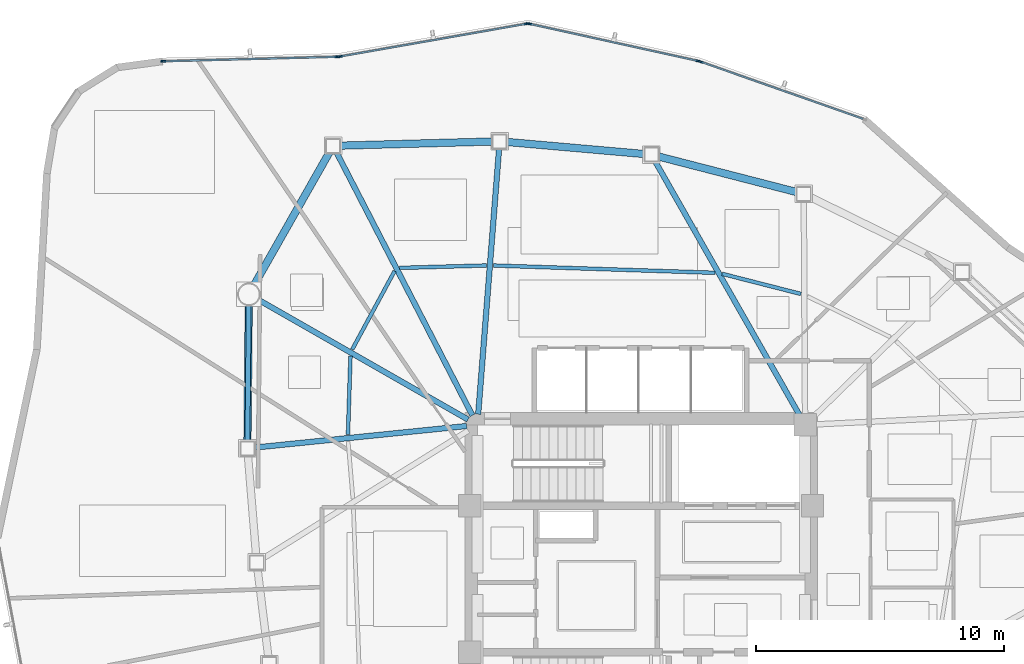
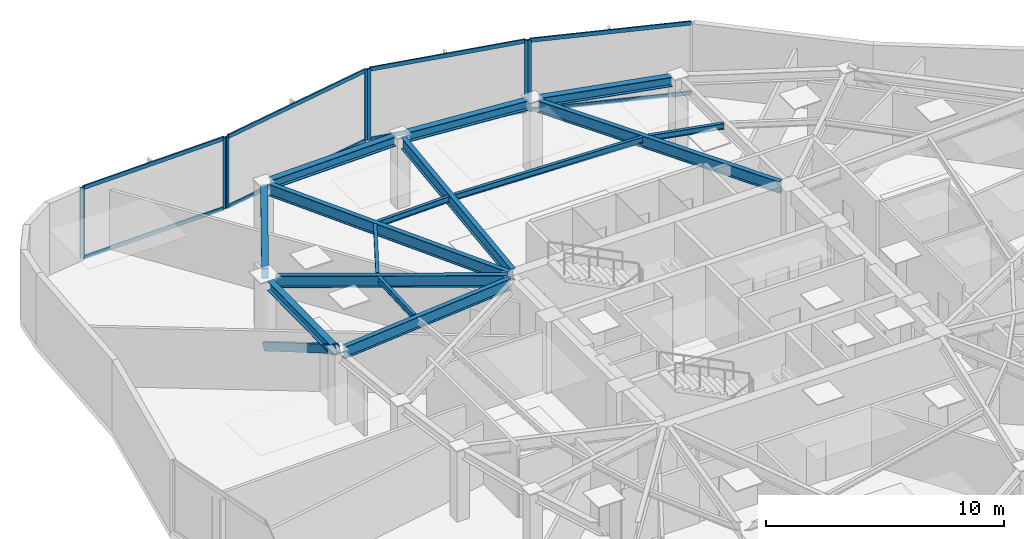
# One storey, part 5 of 13: 16 members, 15 beams, 4 elements without a shape of their own.
"""IFC4 building model written with IfcOpenShell, lengths in metres."""

from ifc_helpers import new_model, si_unit, direction, frame, origin, origin_2d, place, context, subcontext, project, spatial, hollow_rectangle, i_section, extrude, source, transform, mapped, material, layer, layer_set, material_profile, profile_set, type_object, type_shapes, element, aggregate, save


model = new_model("IFC4")

# Units and contexts
model_context = context("Model", 3, precision=1e-05, world=origin(), true_north=direction((0.0, 1.0)))
body_context = subcontext(model_context, "Body", "Model", "MODEL_VIEW")
ifc_project = project(units=[si_unit("LENGTHUNIT", "METRE"), si_unit("AREAUNIT", "SQUARE_METRE"), si_unit("VOLUMEUNIT", "CUBIC_METRE"), si_unit("PLANEANGLEUNIT", "RADIAN"), si_unit("MASSUNIT", "GRAM", prefix="KILO")], contexts=[model_context])

# Site, building, storey
site_placement = place(None, origin())
site = spatial("IfcSite", under=ifc_project, at=site_placement, CompositionType="ELEMENT")
building_placement = place(site_placement, origin())
building = spatial("IfcBuilding", under=site, at=building_placement, Name="Tavelor Broadcast Tower", CompositionType="ELEMENT")
storey_placement = place(building_placement, frame((0.0, 0.0, 226.10009765625)))
storey = spatial("IfcBuildingStorey", under=building, at=storey_placement, Name="L53", CompositionType="ELEMENT", Elevation=226.10009765625)

# Beams
ifc_material_1 = material(Name="Steel S355", Category="steel")
ifc_material_profile_1 = material_profile(ifc_material_1, i_section(OverallWidth=0.14990234375, OverallDepth=0.300048828125, WebThickness=0.007080078125, FlangeThickness=0.0107421875, at=origin_2d()), Name="IPE 300")
ifc_profile_set_1 = profile_set([ifc_material_profile_1], Name="Steel S355")
beam_type_1 = type_object("IfcBeamType", Name="Composite Floor Joist T5 IPE 300", PredefinedType="JOIST", material=ifc_profile_set_1)
beam_1_placement = place(storey_placement, frame((38.289794921875, 53.978515625, 3.5), z_axis=(-0.031859396157, -0.999492360589, 0.0), x_axis=(0.999492360589, -0.031859396157, 0.0)))
element("IfcBeam", 1, at=beam_1_placement, inside=storey, type_object=beam_type_1, Name="L53 Secondary Composite Floor Joist 01", PredefinedType="JOIST", context=body_context, shape_type="SweptSolid", body=[
    extrude(i_section(OverallWidth=0.14990234375, OverallDepth=0.300048828125, WebThickness=0.007080078125, FlangeThickness=0.0107421875, at=origin_2d()), origin(), (0.0, 0.0, 1.0), 3.172607421875),
])
beam_2_placement = place(storey_placement, frame((56.434326171875, 56.4736328125, 3.5), z_axis=(-0.968901023903, 0.247448592399, 0.0), x_axis=(-0.247448592399, -0.968901023903, 0.0)))
element("IfcBeam", 2, at=beam_2_placement, inside=storey, type_object=beam_type_1, Name="L53 Secondary Composite Floor Joist 15", PredefinedType="JOIST", context=body_context, shape_type="SweptSolid", body=[
    extrude(i_section(OverallWidth=0.14990234375, OverallDepth=0.300048828125, WebThickness=0.007080078125, FlangeThickness=0.0107421875, at=origin_2d()), origin(), (0.0, 0.0, 1.0), 3.283447265625),
])
beam_3_placement = place(storey_placement, frame((52.978515625, 57.3251953125, 3.5), z_axis=(-0.999455526468, 0.032994705837, 0.0), x_axis=(-0.032994705837, -0.999455526468, 0.0)))
element("IfcBeam", 3, at=beam_3_placement, inside=storey, type_object=beam_type_1, Name="L53 Secondary Composite Floor Joist 16", PredefinedType="JOIST", context=body_context, shape_type="SweptSolid", body=[
    extrude(i_section(OverallWidth=0.14990234375, OverallDepth=0.300048828125, WebThickness=0.007080078125, FlangeThickness=0.0107421875, at=origin_2d()), origin(), (0.0, 0.0, 1.0), 8.9384765625),
])
beam_4_placement = place(storey_placement, frame((43.76611328125, 57.620849609375, 3.5), z_axis=(-0.999611398275, -0.027875660324, 0.0), x_axis=(0.027875660324, -0.999611398275, 0.0)))
element("IfcBeam", 4, at=beam_4_placement, inside=storey, type_object=beam_type_1, Name="L53 Secondary Composite Floor Joist 17", PredefinedType="JOIST", context=body_context, shape_type="SweptSolid", body=[
    extrude(i_section(OverallWidth=0.14990234375, OverallDepth=0.300048828125, WebThickness=0.007080078125, FlangeThickness=0.0107421875, at=origin_2d()), origin(), (0.0, 0.0, 1.0), 3.49462890625),
])
beam_5_placement = place(storey_placement, frame((40.0673828125, 57.39697265625, 3.5), z_axis=(-0.475640833171, -0.879639584046, 0.0), x_axis=(0.879639584046, -0.475640833171, 0.0)))
element("IfcBeam", 5, at=beam_5_placement, inside=storey, type_object=beam_type_1, Name="L53 Secondary Composite Floor Joist 18", PredefinedType="JOIST", context=body_context, shape_type="SweptSolid", body=[
    extrude(i_section(OverallWidth=0.14990234375, OverallDepth=0.300048828125, WebThickness=0.007080078125, FlangeThickness=0.0107421875, at=origin_2d()), origin(), (0.0, 0.0, 1.0), 3.58837890625),
])
ifc_material_profile_2 = material_profile(ifc_material_1, i_section(OverallWidth=0.300048828125, OverallDepth=0.489990234375, WebThickness=0.011962890625, FlangeThickness=0.02294921875, at=origin_2d()), Name="HEA 500")
ifc_profile_set_2 = profile_set([ifc_material_profile_2], Name="Steel S355")
beam_type_2 = type_object("IfcBeamType", Name="Perimeter Spandrel Beam T5 HEA 500", PredefinedType="SPANDREL", material=ifc_profile_set_2)
beam_6_placement = place(storey_placement, frame((34.192138671875, 56.021240234375, 3.40478515625), z_axis=(-0.009538233347, -0.999954510018, 0.0), x_axis=(0.999954510018, -0.009538233347, 0.0)))
element("IfcBeam", 6, at=beam_6_placement, inside=storey, type_object=beam_type_2, Name="L53 Framed-Tube Ring Spandrel 01", PredefinedType="SPANDREL", context=body_context, shape_type="SweptSolid", body=[
    extrude(i_section(OverallWidth=0.300048828125, OverallDepth=0.489990234375, WebThickness=0.011962890625, FlangeThickness=0.02294921875, at=origin_2d()), origin(), (0.0, 0.0, 1.0), 5.4775390625),
])
beam_7_placement = place(storey_placement, frame((56.2666015625, 60.575927734375, 3.40478515625), z_axis=(-0.968398561847, 0.249407749304, 0.0), x_axis=(-0.249407749304, -0.968398561847, 0.0)))
element("IfcBeam", 7, at=beam_7_placement, inside=storey, type_object=beam_type_2, Name="L53 Framed-Tube Ring Spandrel 15", PredefinedType="SPANDREL", context=body_context, shape_type="SweptSolid", body=[
    extrude(i_section(OverallWidth=0.300048828125, OverallDepth=0.489990234375, WebThickness=0.011962890625, FlangeThickness=0.02294921875, at=origin_2d()), origin(), (0.0, 0.0, 1.0), 5.7626953125),
])
beam_8_placement = place(storey_placement, frame((50.120361328125, 62.110107421875, 3.40478515625), z_axis=(-0.996165524703, 0.087488555787, 0.0), x_axis=(-0.087488555787, -0.996165524703, 0.0)))
element("IfcBeam", 8, at=beam_8_placement, inside=storey, type_object=beam_type_2, Name="L53 Framed-Tube Ring Spandrel 16", PredefinedType="SPANDREL", context=body_context, shape_type="SweptSolid", body=[
    extrude(i_section(OverallWidth=0.300048828125, OverallDepth=0.489990234375, WebThickness=0.011962890625, FlangeThickness=0.02294921875, at=origin_2d()), origin(), (0.0, 0.0, 1.0), 5.555908203125),
])
beam_9_placement = place(storey_placement, frame((44.010986328125, 62.613525390625, 3.40478515625), z_axis=(-0.999631563069, -0.027142920174, 0.0), x_axis=(0.027142920174, -0.999631563069, 0.0)))
element("IfcBeam", 9, at=beam_9_placement, inside=storey, type_object=beam_type_2, Name="L53 Framed-Tube Ring Spandrel 17", PredefinedType="SPANDREL", context=body_context, shape_type="SweptSolid", body=[
    extrude(i_section(OverallWidth=0.300048828125, OverallDepth=0.489990234375, WebThickness=0.011962890625, FlangeThickness=0.02294921875, at=origin_2d()), origin(), (0.0, 0.0, 1.0), 6.13427734375),
])
beam_10_placement = place(storey_placement, frame((37.44873046875, 62.188720703125, 3.40478515625), z_axis=(-0.49368262273, -0.869642149401, 0.0), x_axis=(0.869642149401, -0.49368262273, 0.0)))
element("IfcBeam", 10, at=beam_10_placement, inside=storey, type_object=beam_type_2, Name="L53 Framed-Tube Ring Spandrel 18", PredefinedType="SPANDREL", context=body_context, shape_type="SweptSolid", body=[
    extrude(i_section(OverallWidth=0.300048828125, OverallDepth=0.489990234375, WebThickness=0.011962890625, FlangeThickness=0.02294921875, at=origin_2d()), origin(), (0.0, 0.0, 1.0), 6.14892578125),
])

# Member
ifc_material_profile_3 = material_profile(ifc_material_1, hollow_rectangle(XDim=0.199951171875, YDim=0.39990234375, WallThickness=0.01611328125, at=origin_2d()), Name="RHS 400x200x16")
ifc_profile_set_3 = profile_set([ifc_material_profile_3], Name="Steel S355")
member_type_1 = type_object("IfcMemberType", Name="Perimeter Tube Brace T5 RHS 400x200x16", PredefinedType="BRACE", material=ifc_profile_set_3)
member_1_placement = place(storey_placement, frame((34.1962890625, 56.4599609375, 0.0), z_axis=(-0.008207725636, -0.861879024195, 0.507047513447), x_axis=(0.999954658748, -0.009522628184, 0.0)))
element("IfcMember", 11, at=member_1_placement, inside=storey, type_object=member_type_1, Name="L53 Corner Tube Diagonal Brace 1", PredefinedType="BRACE", context=body_context, shape_type="SweptSolid", body=[
    extrude(hollow_rectangle(XDim=0.199951171875, YDim=0.39990234375, WallThickness=0.01611328125, at=origin_2d()), origin(), (0.0, 0.0, 1.0), 7.1982421875),
])

# Beams
ifc_material_profile_4 = material_profile(ifc_material_1, i_section(OverallWidth=0.219970703125, OverallDepth=0.60009765625, WebThickness=0.011962890625, FlangeThickness=0.01904296875, at=origin_2d()), Name="IPE 600")
ifc_profile_set_4 = profile_set([ifc_material_profile_4], Name="Steel S355")
beam_type_3 = type_object("IfcBeamType", Name="Radial Floor Girder T5 IPE 600", PredefinedType="BEAM", material=ifc_profile_set_4)
beam_11_placement = place(storey_placement, frame((43.02490234375, 51.414306640625, 3.349853515625), z_axis=(-0.868210713595, 0.496195683979, 0.0), x_axis=(-0.496195683979, -0.868210713595, 0.0)))
element("IfcBeam", 12, at=beam_11_placement, inside=storey, type_object=beam_type_3, Name="L53 Radial Primary Floor Girder 01", PredefinedType="BEAM", context=body_context, shape_type="SweptSolid", body=[
    extrude(i_section(OverallWidth=0.219970703125, OverallDepth=0.60009765625, WebThickness=0.011962890625, FlangeThickness=0.01904296875, at=origin_2d()), origin(), (0.0, 0.0, 1.0), 9.729736328125),
])
beam_12_placement = place(storey_placement, frame((42.97021484375, 51.15625, 3.349853515625), z_axis=(-0.994846025553, -0.101397166829, 0.0), x_axis=(0.101397166829, -0.994846025553, 0.0)))
element("IfcBeam", 13, at=beam_12_placement, inside=storey, type_object=beam_type_3, Name="L53 Radial Primary Floor Girder 02", PredefinedType="BEAM", context=body_context, shape_type="SweptSolid", body=[
    extrude(i_section(OverallWidth=0.219970703125, OverallDepth=0.60009765625, WebThickness=0.011962890625, FlangeThickness=0.01904296875, at=origin_2d()), origin(), (0.0, 0.0, 1.0), 8.5908203125),
])
beam_13_placement = place(storey_placement, frame((56.386474609375, 51.575439453125, 3.349853515625), z_axis=(-0.49450754608, 0.869173335342, 0.0), x_axis=(-0.869173335342, -0.49450754608, 0.0)))
element("IfcBeam", 14, at=beam_13_placement, inside=storey, type_object=beam_type_3, Name="L53 Radial Primary Floor Girder 16", PredefinedType="BEAM", context=body_context, shape_type="SweptSolid", body=[
    extrude(i_section(OverallWidth=0.219970703125, OverallDepth=0.60009765625, WebThickness=0.011962890625, FlangeThickness=0.01904296875, at=origin_2d()), origin(), (0.0, 0.0, 1.0), 11.803466796875),
])
beam_14_placement = place(storey_placement, frame((43.433837890625, 51.630615234375, 3.349853515625), z_axis=(0.078449146994, 0.996918116666, 0.0), x_axis=(-0.996918116666, 0.078449146994, 0.0)))
element("IfcBeam", 15, at=beam_14_placement, inside=storey, type_object=beam_type_3, Name="L53 Radial Primary Floor Girder 17", PredefinedType="BEAM", context=body_context, shape_type="SweptSolid", body=[
    extrude(i_section(OverallWidth=0.219970703125, OverallDepth=0.60009765625, WebThickness=0.011962890625, FlangeThickness=0.01904296875, at=origin_2d()), origin(), (0.0, 0.0, 1.0), 10.73681640625),
])
beam_15_placement = place(storey_placement, frame((43.20166015625, 51.583740234375, 3.349853515625), z_axis=(-0.459155708723, 0.888355804364, 0.0), x_axis=(-0.888355804364, -0.459155708723, 0.0)))
element("IfcBeam", 16, at=beam_15_placement, inside=storey, type_object=beam_type_3, Name="L53 Radial Primary Floor Girder 18", PredefinedType="BEAM", context=body_context, shape_type="SweptSolid", body=[
    extrude(i_section(OverallWidth=0.219970703125, OverallDepth=0.60009765625, WebThickness=0.011962890625, FlangeThickness=0.01904296875, at=origin_2d()), origin(), (0.0, 0.0, 1.0), 11.931640625),
])

# Curtain wall, member
ifc_material_2 = material(Name="Architectural Anodized Aluminium", Category="aluminium")
ifc_layer = layer(ifc_material_2, 0.199951171875)
ifc_layer_set = layer_set([ifc_layer], Name="Architectural Anodized Aluminium")
curtain_wall_type = type_object("IfcCurtainWallType", Name="Tower High-Zone Triple-Glazed Curtain Wall CW04", PredefinedType="NOTDEFINED", material=ifc_layer_set)
curtain_wall_1_placement = place(storey_placement, origin())
curtain_wall_1 = element("IfcCurtainWall", 17, at=curtain_wall_1_placement, inside=storey, type_object=curtain_wall_type, Name="L53 Curtain Wall CW04 Run 573", PredefinedType="NOTDEFINED")
ifc_material_profile_5 = material_profile(ifc_material_2, hollow_rectangle(XDim=0.070068359375, YDim=0.199951171875, WallThickness=0.02197265625, at=origin_2d()), Name="RHS 70x200x22")
ifc_profile_set_5 = profile_set([ifc_material_profile_5], Name="Architectural Anodized Aluminium")
member_type_2 = type_object("IfcMemberType", Name="CW04 Extruded Aluminium Mullion 70x200", PredefinedType="MULLION", material=ifc_profile_set_5)
shared_shape_1 = source(origin(), body_context, "Body", "SweptSolid", [
    extrude(hollow_rectangle(XDim=0.070068359375, YDim=0.199951171875, WallThickness=0.02197265625, at=origin_2d()), origin(), (0.0, 0.0, 1.0), 3.64990234375),
])
type_shapes(member_type_2, [shared_shape_1])
member_2_placement = place(storey_placement, frame((52.385009765625, 65.828369140625, 0.0), z_axis=(0.0, 0.0, 1.0), x_axis=(-0.331753825827, -0.943365994219, 0.0)))
member_2 = element("IfcMember", 18, at=member_2_placement, type_object=member_type_2, Name="CW04 mullion 2", PredefinedType="MULLION", context=body_context, shape_type="MappedRepresentation", body=[
    mapped(shared_shape_1, transform((0.0, 0.0, 0.0), scale=1.0)),
])

# Curtain wall, members
curtain_wall_2_placement = place(storey_placement, origin())
curtain_wall_2 = element("IfcCurtainWall", 19, at=curtain_wall_2_placement, inside=storey, type_object=curtain_wall_type, Name="L53 Curtain Wall CW04 Run 574", PredefinedType="NOTDEFINED")
member_3_placement = place(storey_placement, frame((52.2890625, 65.855712890625, 0.0), z_axis=(0.0, 0.0, 1.0), x_axis=(-0.21516029986, -0.976578745091, 0.0)))
member_3 = element("IfcMember", 20, at=member_3_placement, type_object=member_type_2, Name="CW04 mullion 1", PredefinedType="MULLION", context=body_context, shape_type="MappedRepresentation", body=[
    mapped(shared_shape_1, transform((0.0, 0.0, 0.0), scale=1.0)),
])
member_4_placement = place(storey_placement, frame((45.486572265625, 67.354248046875, 0.0), z_axis=(0.0, 0.0, 1.0), x_axis=(-0.21516029986, -0.976578745091, 0.0)))
member_4 = element("IfcMember", 21, at=member_4_placement, type_object=member_type_2, Name="CW04 mullion 2", PredefinedType="MULLION", context=body_context, shape_type="MappedRepresentation", body=[
    mapped(shared_shape_1, transform((0.0, 0.0, 0.0), scale=1.0)),
])

curtain_wall_3_placement = place(storey_placement, origin())
curtain_wall_3 = element("IfcCurtainWall", 22, at=curtain_wall_3_placement, inside=storey, type_object=curtain_wall_type, Name="L53 Curtain Wall CW04 Run 575", PredefinedType="NOTDEFINED")
member_5_placement = place(storey_placement, frame((45.388427734375, 67.3564453125, 0.0), z_axis=(0.0, 0.0, 1.0), x_axis=(0.172908244437, -0.984937936626, 0.0)))
member_5 = element("IfcMember", 23, at=member_5_placement, type_object=member_type_2, Name="CW04 mullion 1", PredefinedType="MULLION", context=body_context, shape_type="MappedRepresentation", body=[
    mapped(shared_shape_1, transform((0.0, 0.0, 0.0), scale=1.0)),
])
member_6_placement = place(storey_placement, frame((37.859130859375, 66.03466796875, 0.0), z_axis=(0.0, 0.0, 1.0), x_axis=(0.172908244437, -0.984937936626, 0.0)))
member_6 = element("IfcMember", 24, at=member_6_placement, type_object=member_type_2, Name="CW04 mullion 2", PredefinedType="MULLION", context=body_context, shape_type="MappedRepresentation", body=[
    mapped(shared_shape_1, transform((0.0, 0.0, 0.0), scale=1.0)),
])

curtain_wall_4_placement = place(storey_placement, origin())
curtain_wall_4 = element("IfcCurtainWall", 25, at=curtain_wall_4_placement, inside=storey, type_object=curtain_wall_type, Name="L53 Curtain Wall CW04 Run 576", PredefinedType="NOTDEFINED")
member_7_placement = place(storey_placement, frame((37.759765625, 66.024658203125, 0.0), z_axis=(0.0, 0.0, 1.0), x_axis=(0.02576994416, -0.999667899844, 0.0)))
member_7 = element("IfcMember", 26, at=member_7_placement, type_object=member_type_2, Name="CW04 mullion 1", PredefinedType="MULLION", context=body_context, shape_type="MappedRepresentation", body=[
    mapped(shared_shape_1, transform((0.0, 0.0, 0.0), scale=1.0)),
])
member_8_placement = place(storey_placement, frame((30.742431640625, 65.84375, 0.0), z_axis=(0.0, 0.0, 1.0), x_axis=(0.02576994416, -0.999667899844, 0.0)))
member_8 = element("IfcMember", 27, at=member_8_placement, type_object=member_type_2, Name="CW04 mullion 2", PredefinedType="MULLION", context=body_context, shape_type="MappedRepresentation", body=[
    mapped(shared_shape_1, transform((0.0, 0.0, 0.0), scale=1.0)),
])

# Member
ifc_material_profile_6 = material_profile(ifc_material_2, hollow_rectangle(XDim=0.070068359375, YDim=0.199951171875, WallThickness=0.02197265625, at=origin_2d()), Name="RHS 70x200x22")
ifc_profile_set_6 = profile_set([ifc_material_profile_6], Name="Architectural Anodized Aluminium")
member_type_3 = type_object("IfcMemberType", Name="CW04 Extruded Aluminium Transom 70x200", PredefinedType="USERDEFINED", material=ifc_profile_set_6)
shared_shape_2 = source(origin(), body_context, "Body", "SweptSolid", [
    extrude(hollow_rectangle(XDim=0.070068359375, YDim=0.199951171875, WallThickness=0.02197265625, at=origin_2d()), origin(), (0.0, 0.0, 1.0), 6.91064453125),
])
member_9_placement = place(storey_placement, frame((58.937255859375, 63.52392578125, 0.034912109375), z_axis=(-0.943362154148, 0.331764745145, 0.0), x_axis=(-0.331764745145, -0.943362154148, 0.0)))
member_9 = element("IfcMember", 28, at=member_9_placement, type_object=member_type_3, Name="CW04 transom 1.1", ObjectType="TRANSOM", PredefinedType="USERDEFINED", context=body_context, shape_type="MappedRepresentation", body=[
    mapped(shared_shape_2, transform((0.0, 0.0, 0.0), scale=1.0)),
])

member_10_placement = place(storey_placement, frame((58.937255859375, 63.52392578125, 3.614990234375), z_axis=(-0.943362154148, 0.331764745145, 0.0), x_axis=(-0.331764745145, -0.943362154148, 0.0)))
member_10 = element("IfcMember", 29, at=member_10_placement, type_object=member_type_3, Name="CW04 transom 1.2", ObjectType="TRANSOM", PredefinedType="USERDEFINED", context=body_context, shape_type="MappedRepresentation", body=[
    mapped(shared_shape_2, transform((0.0, 0.0, 0.0), scale=1.0)),
])

aggregate(curtain_wall_1, [member_2, member_9, member_10])

shared_shape_3 = source(origin(), body_context, "Body", "SweptSolid", [
    extrude(hollow_rectangle(XDim=0.070068359375, YDim=0.199951171875, WallThickness=0.02197265625, at=origin_2d()), origin(), (0.0, 0.0, 1.0), 6.895751953125),
])
member_11_placement = place(storey_placement, frame((52.2548828125, 65.86328125, 0.034912109375), z_axis=(-0.976579487949, 0.215156928118, 0.0), x_axis=(-0.215156928118, -0.976579487949, 0.0)))
member_11 = element("IfcMember", 30, at=member_11_placement, type_object=member_type_3, Name="CW04 transom 1.1", ObjectType="TRANSOM", PredefinedType="USERDEFINED", context=body_context, shape_type="MappedRepresentation", body=[
    mapped(shared_shape_3, transform((0.0, 0.0, 0.0), scale=1.0)),
])

member_12_placement = place(storey_placement, frame((52.2548828125, 65.86328125, 3.614990234375), z_axis=(-0.976579487949, 0.215156928118, 0.0), x_axis=(-0.215156928118, -0.976579487949, 0.0)))
member_12 = element("IfcMember", 31, at=member_12_placement, type_object=member_type_3, Name="CW04 transom 1.2", ObjectType="TRANSOM", PredefinedType="USERDEFINED", context=body_context, shape_type="MappedRepresentation", body=[
    mapped(shared_shape_3, transform((0.0, 0.0, 0.0), scale=1.0)),
])

aggregate(curtain_wall_2, [member_3, member_4, member_11, member_12])

shared_shape_4 = source(origin(), body_context, "Body", "SweptSolid", [
    extrude(hollow_rectangle(XDim=0.070068359375, YDim=0.199951171875, WallThickness=0.02197265625, at=origin_2d()), origin(), (0.0, 0.0, 1.0), 6.949462890625),
])
member_13_placement = place(storey_placement, frame((37.724853515625, 66.023681640625, 0.034912109375), z_axis=(-0.999668400254, -0.025750524929, 0.0), x_axis=(0.025750524929, -0.999668400254, 0.0)))
member_13 = element("IfcMember", 32, at=member_13_placement, type_object=member_type_3, Name="CW04 transom 1.1", ObjectType="TRANSOM", PredefinedType="USERDEFINED", context=body_context, shape_type="MappedRepresentation", body=[
    mapped(shared_shape_4, transform((0.0, 0.0, 0.0), scale=1.0)),
])

member_14_placement = place(storey_placement, frame((37.724853515625, 66.023681640625, 3.614990234375), z_axis=(-0.999668400254, -0.025750524929, 0.0), x_axis=(0.025750524929, -0.999668400254, 0.0)))
member_14 = element("IfcMember", 33, at=member_14_placement, type_object=member_type_3, Name="CW04 transom 1.2", ObjectType="TRANSOM", PredefinedType="USERDEFINED", context=body_context, shape_type="MappedRepresentation", body=[
    mapped(shared_shape_4, transform((0.0, 0.0, 0.0), scale=1.0)),
])

aggregate(curtain_wall_4, [member_7, member_8, member_13, member_14])

shared_shape_5 = source(origin(), body_context, "Body", "SweptSolid", [
    extrude(hollow_rectangle(XDim=0.070068359375, YDim=0.199951171875, WallThickness=0.02197265625, at=origin_2d()), origin(), (0.0, 0.0, 1.0), 7.574462890625),
])
type_shapes(member_type_3, [shared_shape_2, shared_shape_3, shared_shape_4, shared_shape_5])
member_15_placement = place(storey_placement, frame((45.35400390625, 67.350341796875, 0.034912109375), z_axis=(-0.984940851476, -0.172891639745, 0.0), x_axis=(0.172891639745, -0.984940851476, 0.0)))
member_15 = element("IfcMember", 34, at=member_15_placement, type_object=member_type_3, Name="CW04 transom 1.1", ObjectType="TRANSOM", PredefinedType="USERDEFINED", context=body_context, shape_type="MappedRepresentation", body=[
    mapped(shared_shape_5, transform((0.0, 0.0, 0.0), scale=1.0)),
])

member_16_placement = place(storey_placement, frame((45.35400390625, 67.350341796875, 3.614990234375), z_axis=(-0.984940851476, -0.172891639745, 0.0), x_axis=(0.172891639745, -0.984940851476, 0.0)))
member_16 = element("IfcMember", 35, at=member_16_placement, type_object=member_type_3, Name="CW04 transom 1.2", ObjectType="TRANSOM", PredefinedType="USERDEFINED", context=body_context, shape_type="MappedRepresentation", body=[
    mapped(shared_shape_5, transform((0.0, 0.0, 0.0), scale=1.0)),
])

aggregate(curtain_wall_3, [member_5, member_6, member_15, member_16])

save(model, "model.ifc")
